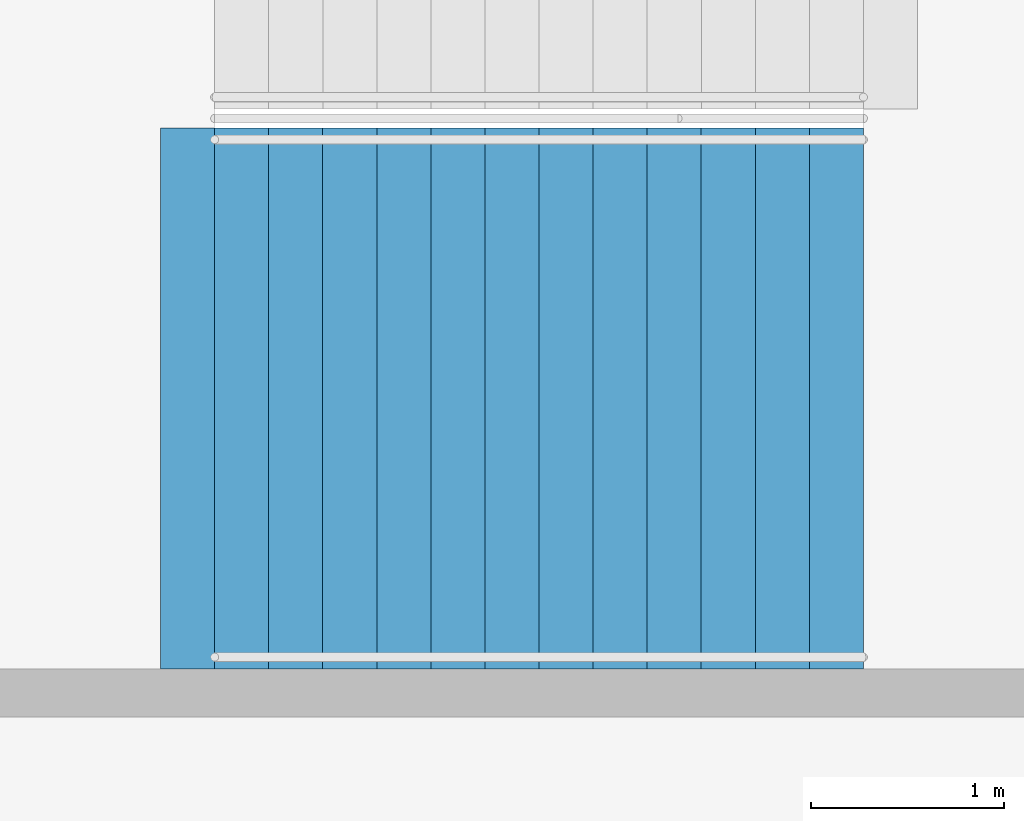
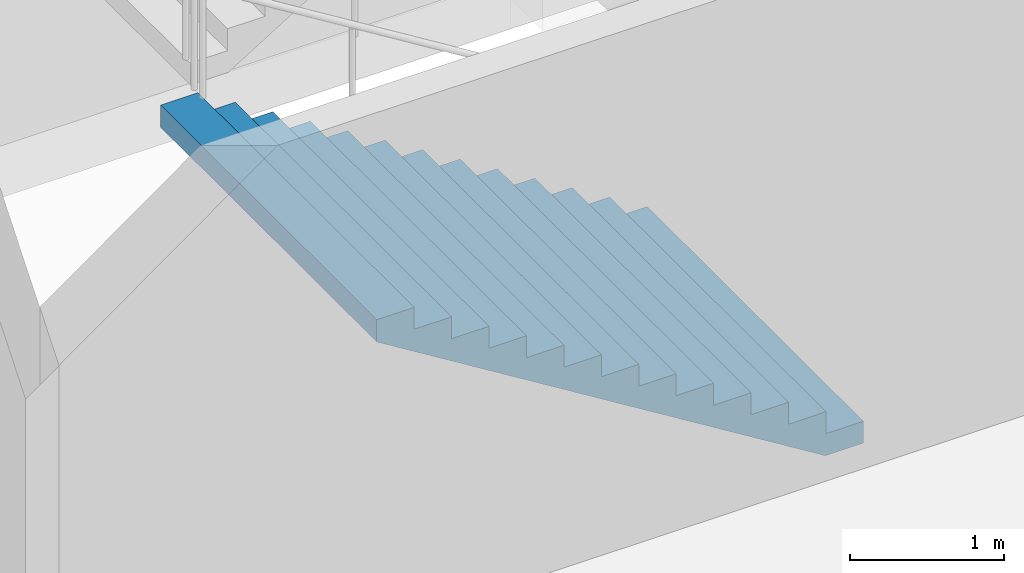
# One storey, part 132 of 177: 1 stair flight, 1 element without a shape of its own.
"""IFC4 building model written with IfcOpenShell, lengths in metres."""

from ifc_helpers import new_model, si_unit, direction, frame, origin, place, context, subcontext, project, spatial, faceted_brep, material, type_object, element, aggregate, save


model = new_model("IFC4")

# Units and contexts
model_context = context("Model", 3, precision=1e-05, world=origin(), true_north=direction((0.0, 1.0)))
body_context = subcontext(model_context, "Body", "Model", "MODEL_VIEW")
ifc_project = project(units=[si_unit("LENGTHUNIT", "METRE"), si_unit("AREAUNIT", "SQUARE_METRE"), si_unit("VOLUMEUNIT", "CUBIC_METRE"), si_unit("PLANEANGLEUNIT", "RADIAN"), si_unit("MASSUNIT", "GRAM", prefix="KILO")], contexts=[model_context])

# Site, building, storey
site_placement = place(None, origin())
site = spatial("IfcSite", under=ifc_project, at=site_placement, CompositionType="ELEMENT")
building_placement = place(site_placement, origin())
building = spatial("IfcBuilding", under=site, at=building_placement, Name="Ogive Plaza Stadium", CompositionType="ELEMENT")
storey_placement = place(building_placement, frame((0.0, 0.0, 18.0)))
storey = spatial("IfcBuildingStorey", under=building, at=storey_placement, Name="L04", CompositionType="ELEMENT", Elevation=18.0)

# Stair, stair flight
ifc_material_1 = material(Name="Concrete C40/50", Category="concrete")
stair_type = type_object("IfcStairType", Name="Exit stair", PredefinedType="STRAIGHT_RUN_STAIR", material=ifc_material_1)
stair_placement = place(storey_placement, origin())
stair = element("IfcStair", 1, at=stair_placement, inside=storey, type_object=stair_type, Name="Exit stair ST28B L04 to L05", PredefinedType="STRAIGHT_RUN_STAIR")
ifc_material_2 = material(Name="Concrete C40/50", Category="concrete")
stair_flight_type = type_object("IfcStairFlightType", Name="Exit stair flight", PredefinedType="STRAIGHT", material=ifc_material_2)
stair_flight_placement = place(storey_placement, frame((-76.35009765625, 48.074951171875, 0.0), z_axis=(0.0, 0.0, 1.0), x_axis=(-1.0, 0.0, 0.0)))
stair_flight = element("IfcStairFlight", 2, at=stair_flight_placement, type_object=stair_flight_type, Name="ST28B flight 1", NumberOfRisers=13, NumberOfTreads=12, PredefinedType="STRAIGHT", RiserHeight=0.173076923, TreadLength=0.28, context=body_context, shape_type="Brep", body=[
    faceted_brep([(0.28515625, -1.39990234375, 0.0), (3.639892578125, -1.39990234375, 2.07373046875), (3.639892578125, -1.39990234375, 2.25), (3.360107421875, -1.39990234375, 2.25), (3.360107421875, -1.39990234375, 2.076904296875), (3.080078125, -1.39990234375, 2.076904296875), (3.080078125, -1.39990234375, 1.90380859375), (2.800048828125, -1.39990234375, 1.90380859375), (2.800048828125, -1.39990234375, 1.730712890625), (2.52001953125, -1.39990234375, 1.730712890625), (2.52001953125, -1.39990234375, 1.5576171875), (2.239990234375, -1.39990234375, 1.5576171875), (2.239990234375, -1.39990234375, 1.384521484375), (1.9599609375, -1.39990234375, 1.384521484375), (1.9599609375, -1.39990234375, 1.21142578125), (1.679931640625, -1.39990234375, 1.21142578125), (1.679931640625, -1.39990234375, 1.03857421875), (1.39990234375, -1.39990234375, 1.03857421875), (1.39990234375, -1.39990234375, 0.865478515625), (1.1201171875, -1.39990234375, 0.865478515625), (1.1201171875, -1.39990234375, 0.6923828125), (0.840087890625, -1.39990234375, 0.6923828125), (0.840087890625, -1.39990234375, 0.519287109375), (0.56005859375, -1.39990234375, 0.519287109375), (0.56005859375, -1.39990234375, 0.34619140625), (0.280029296875, -1.39990234375, 0.34619140625), (0.280029296875, -1.39990234375, 0.173095703125), (0.0, -1.39990234375, 0.173095703125), (0.0, -1.39990234375, 0.0), (0.0, 1.39990234375, 0.0), (0.0, 1.39990234375, 0.173095703125), (0.280029296875, 1.39990234375, 0.173095703125), (0.280029296875, 1.39990234375, 0.34619140625), (0.56005859375, 1.39990234375, 0.34619140625), (0.56005859375, 1.39990234375, 0.519287109375), (0.840087890625, 1.39990234375, 0.519287109375), (0.840087890625, 1.39990234375, 0.6923828125), (1.1201171875, 1.39990234375, 0.6923828125), (1.1201171875, 1.39990234375, 0.865478515625), (1.39990234375, 1.39990234375, 0.865478515625), (1.39990234375, 1.39990234375, 1.03857421875), (1.679931640625, 1.39990234375, 1.03857421875), (1.679931640625, 1.39990234375, 1.21142578125), (1.9599609375, 1.39990234375, 1.21142578125), (1.9599609375, 1.39990234375, 1.384521484375), (2.239990234375, 1.39990234375, 1.384521484375), (2.239990234375, 1.39990234375, 1.5576171875), (2.52001953125, 1.39990234375, 1.5576171875), (2.52001953125, 1.39990234375, 1.730712890625), (2.800048828125, 1.39990234375, 1.730712890625), (2.800048828125, 1.39990234375, 1.90380859375), (3.080078125, 1.39990234375, 1.90380859375), (3.080078125, 1.39990234375, 2.076904296875), (3.360107421875, 1.39990234375, 2.076904296875), (3.360107421875, 1.39990234375, 2.25), (3.639892578125, 1.39990234375, 2.25), (3.639892578125, 1.39990234375, 2.07373046875), (0.28515625, 1.39990234375, 0.0), (0.28515625, -1.0888671875, 0.0), (3.639892578125, -1.0888671875, 2.07373046875), (0.28515625, -0.77783203125, 0.0), (3.639892578125, -0.77783203125, 2.07373046875), (0.28515625, -0.466796875, 0.0), (3.639892578125, -0.466796875, 2.07373046875), (0.28515625, -0.155517578125, 0.0), (3.639892578125, -0.155517578125, 2.07373046875), (0.28515625, 0.155517578125, 0.0), (3.639892578125, 0.155517578125, 2.07373046875), (0.28515625, 0.466796875, 0.0), (3.639892578125, 0.466796875, 2.07373046875), (0.28515625, 0.77783203125, 0.0), (3.639892578125, 0.77783203125, 2.07373046875), (0.28515625, 1.0888671875, 0.0), (3.639892578125, 1.0888671875, 2.07373046875), (3.639892578125, -1.0888671875, 2.25), (3.639892578125, -0.77783203125, 2.25), (3.639892578125, -0.466796875, 2.25), (3.639892578125, -0.155517578125, 2.25), (3.639892578125, 0.155517578125, 2.25), (3.639892578125, 0.466796875, 2.25), (3.639892578125, 0.77783203125, 2.25), (3.639892578125, 1.0888671875, 2.25), (3.360107421875, -1.0888671875, 2.25), (3.360107421875, -0.77783203125, 2.25), (3.360107421875, -0.466796875, 2.25), (3.360107421875, -0.155517578125, 2.25), (3.360107421875, 0.155517578125, 2.25), (3.360107421875, 0.466796875, 2.25), (3.360107421875, 0.77783203125, 2.25), (3.360107421875, 1.0888671875, 2.25), (3.360107421875, -1.0888671875, 2.076904296875), (3.360107421875, -0.77783203125, 2.076904296875), (3.360107421875, -0.466796875, 2.076904296875), (3.360107421875, -0.155517578125, 2.076904296875), (3.360107421875, 0.155517578125, 2.076904296875), (3.360107421875, 0.466796875, 2.076904296875), (3.360107421875, 0.77783203125, 2.076904296875), (3.360107421875, 1.0888671875, 2.076904296875), (3.080078125, -1.0888671875, 2.076904296875), (3.080078125, -0.77783203125, 2.076904296875), (3.080078125, -0.466796875, 2.076904296875), (3.080078125, -0.155517578125, 2.076904296875), (3.080078125, 0.155517578125, 2.076904296875), (3.080078125, 0.466796875, 2.076904296875), (3.080078125, 0.77783203125, 2.076904296875), (3.080078125, 1.0888671875, 2.076904296875), (3.080078125, -1.0888671875, 1.90380859375), (3.080078125, -0.77783203125, 1.90380859375), (3.080078125, -0.466796875, 1.90380859375), (3.080078125, -0.155517578125, 1.90380859375), (3.080078125, 0.155517578125, 1.90380859375), (3.080078125, 0.466796875, 1.90380859375), (3.080078125, 0.77783203125, 1.90380859375), (3.080078125, 1.0888671875, 1.90380859375), (2.800048828125, -1.0888671875, 1.90380859375), (2.800048828125, -0.77783203125, 1.90380859375), (2.800048828125, -0.466796875, 1.90380859375), (2.800048828125, -0.155517578125, 1.90380859375), (2.800048828125, 0.155517578125, 1.90380859375), (2.800048828125, 0.466796875, 1.90380859375), (2.800048828125, 0.77783203125, 1.90380859375), (2.800048828125, 1.0888671875, 1.90380859375), (2.800048828125, -1.0888671875, 1.730712890625), (2.800048828125, -0.77783203125, 1.730712890625), (2.800048828125, -0.466796875, 1.730712890625), (2.800048828125, -0.155517578125, 1.730712890625), (2.800048828125, 0.155517578125, 1.730712890625), (2.800048828125, 0.466796875, 1.730712890625), (2.800048828125, 0.77783203125, 1.730712890625), (2.800048828125, 1.0888671875, 1.730712890625), (2.52001953125, -1.0888671875, 1.730712890625), (2.52001953125, -0.77783203125, 1.730712890625), (2.52001953125, -0.466796875, 1.730712890625), (2.52001953125, -0.155517578125, 1.730712890625), (2.52001953125, 0.155517578125, 1.730712890625), (2.52001953125, 0.466796875, 1.730712890625), (2.52001953125, 0.77783203125, 1.730712890625), (2.52001953125, 1.0888671875, 1.730712890625), (2.52001953125, -1.0888671875, 1.5576171875), (2.52001953125, -0.77783203125, 1.5576171875), (2.52001953125, -0.466796875, 1.5576171875), (2.52001953125, -0.155517578125, 1.5576171875), (2.52001953125, 0.155517578125, 1.5576171875), (2.52001953125, 0.466796875, 1.5576171875), (2.52001953125, 0.77783203125, 1.5576171875), (2.52001953125, 1.0888671875, 1.5576171875), (2.239990234375, -1.0888671875, 1.5576171875), (2.239990234375, -0.77783203125, 1.5576171875), (2.239990234375, -0.466796875, 1.5576171875), (2.239990234375, -0.155517578125, 1.5576171875), (2.239990234375, 0.155517578125, 1.5576171875), (2.239990234375, 0.466796875, 1.5576171875), (2.239990234375, 0.77783203125, 1.5576171875), (2.239990234375, 1.0888671875, 1.5576171875), (2.239990234375, -1.0888671875, 1.384521484375), (2.239990234375, -0.77783203125, 1.384521484375), (2.239990234375, -0.466796875, 1.384521484375), (2.239990234375, -0.155517578125, 1.384521484375), (2.239990234375, 0.155517578125, 1.384521484375), (2.239990234375, 0.466796875, 1.384521484375), (2.239990234375, 0.77783203125, 1.384521484375), (2.239990234375, 1.0888671875, 1.384521484375), (1.9599609375, -1.0888671875, 1.384521484375), (1.9599609375, -0.77783203125, 1.384521484375), (1.9599609375, -0.466796875, 1.384521484375), (1.9599609375, -0.155517578125, 1.384521484375), (1.9599609375, 0.155517578125, 1.384521484375), (1.9599609375, 0.466796875, 1.384521484375), (1.9599609375, 0.77783203125, 1.384521484375), (1.9599609375, 1.0888671875, 1.384521484375), (1.9599609375, -1.0888671875, 1.21142578125), (1.9599609375, -0.77783203125, 1.21142578125), (1.9599609375, -0.466796875, 1.21142578125), (1.9599609375, -0.155517578125, 1.21142578125), (1.9599609375, 0.155517578125, 1.21142578125), (1.9599609375, 0.466796875, 1.21142578125), (1.9599609375, 0.77783203125, 1.21142578125), (1.9599609375, 1.0888671875, 1.21142578125), (1.679931640625, -1.0888671875, 1.21142578125), (1.679931640625, -0.77783203125, 1.21142578125), (1.679931640625, -0.466796875, 1.21142578125), (1.679931640625, -0.155517578125, 1.21142578125), (1.679931640625, 0.155517578125, 1.21142578125), (1.679931640625, 0.466796875, 1.21142578125), (1.679931640625, 0.77783203125, 1.21142578125), (1.679931640625, 1.0888671875, 1.21142578125), (1.679931640625, -1.0888671875, 1.03857421875), (1.679931640625, -0.77783203125, 1.03857421875), (1.679931640625, -0.466796875, 1.03857421875), (1.679931640625, -0.155517578125, 1.03857421875), (1.679931640625, 0.155517578125, 1.03857421875), (1.679931640625, 0.466796875, 1.03857421875), (1.679931640625, 0.77783203125, 1.03857421875), (1.679931640625, 1.0888671875, 1.03857421875), (1.39990234375, -1.0888671875, 1.03857421875), (1.39990234375, -0.77783203125, 1.03857421875), (1.39990234375, -0.466796875, 1.03857421875), (1.39990234375, -0.155517578125, 1.03857421875), (1.39990234375, 0.155517578125, 1.03857421875), (1.39990234375, 0.466796875, 1.03857421875), (1.39990234375, 0.77783203125, 1.03857421875), (1.39990234375, 1.0888671875, 1.03857421875), (1.39990234375, -1.0888671875, 0.865478515625), (1.39990234375, -0.77783203125, 0.865478515625), (1.39990234375, -0.466796875, 0.865478515625), (1.39990234375, -0.155517578125, 0.865478515625), (1.39990234375, 0.155517578125, 0.865478515625), (1.39990234375, 0.466796875, 0.865478515625), (1.39990234375, 0.77783203125, 0.865478515625), (1.39990234375, 1.0888671875, 0.865478515625), (1.1201171875, -1.0888671875, 0.865478515625), (1.1201171875, -0.77783203125, 0.865478515625), (1.1201171875, -0.466796875, 0.865478515625), (1.1201171875, -0.155517578125, 0.865478515625), (1.1201171875, 0.155517578125, 0.865478515625), (1.1201171875, 0.466796875, 0.865478515625), (1.1201171875, 0.77783203125, 0.865478515625), (1.1201171875, 1.0888671875, 0.865478515625), (1.1201171875, -1.0888671875, 0.6923828125), (1.1201171875, -0.77783203125, 0.6923828125), (1.1201171875, -0.466796875, 0.6923828125), (1.1201171875, -0.155517578125, 0.6923828125), (1.1201171875, 0.155517578125, 0.6923828125), (1.1201171875, 0.466796875, 0.6923828125), (1.1201171875, 0.77783203125, 0.6923828125), (1.1201171875, 1.0888671875, 0.6923828125), (0.840087890625, -1.0888671875, 0.6923828125), (0.840087890625, -0.77783203125, 0.6923828125), (0.840087890625, -0.466796875, 0.6923828125), (0.840087890625, -0.155517578125, 0.6923828125), (0.840087890625, 0.155517578125, 0.6923828125), (0.840087890625, 0.466796875, 0.6923828125), (0.840087890625, 0.77783203125, 0.6923828125), (0.840087890625, 1.0888671875, 0.6923828125), (0.840087890625, -1.0888671875, 0.519287109375), (0.840087890625, -0.77783203125, 0.519287109375), (0.840087890625, -0.466796875, 0.519287109375), (0.840087890625, -0.155517578125, 0.519287109375), (0.840087890625, 0.155517578125, 0.519287109375), (0.840087890625, 0.466796875, 0.519287109375), (0.840087890625, 0.77783203125, 0.519287109375), (0.840087890625, 1.0888671875, 0.519287109375), (0.56005859375, -1.0888671875, 0.519287109375), (0.56005859375, -0.77783203125, 0.519287109375), (0.56005859375, -0.466796875, 0.519287109375), (0.56005859375, -0.155517578125, 0.519287109375), (0.56005859375, 0.155517578125, 0.519287109375), (0.56005859375, 0.466796875, 0.519287109375), (0.56005859375, 0.77783203125, 0.519287109375), (0.56005859375, 1.0888671875, 0.519287109375), (0.56005859375, -1.0888671875, 0.34619140625), (0.56005859375, -0.77783203125, 0.34619140625), (0.56005859375, -0.466796875, 0.34619140625), (0.56005859375, -0.155517578125, 0.34619140625), (0.56005859375, 0.155517578125, 0.34619140625), (0.56005859375, 0.466796875, 0.34619140625), (0.56005859375, 0.77783203125, 0.34619140625), (0.56005859375, 1.0888671875, 0.34619140625), (0.280029296875, -1.0888671875, 0.34619140625), (0.280029296875, -0.77783203125, 0.34619140625), (0.280029296875, -0.466796875, 0.34619140625), (0.280029296875, -0.155517578125, 0.34619140625), (0.280029296875, 0.155517578125, 0.34619140625), (0.280029296875, 0.466796875, 0.34619140625), (0.280029296875, 0.77783203125, 0.34619140625), (0.280029296875, 1.0888671875, 0.34619140625), (0.280029296875, -1.0888671875, 0.173095703125), (0.280029296875, -0.77783203125, 0.173095703125), (0.280029296875, -0.466796875, 0.173095703125), (0.280029296875, -0.155517578125, 0.173095703125), (0.280029296875, 0.155517578125, 0.173095703125), (0.280029296875, 0.466796875, 0.173095703125), (0.280029296875, 0.77783203125, 0.173095703125), (0.280029296875, 1.0888671875, 0.173095703125), (0.0, -1.0888671875, 0.173095703125), (0.0, -0.77783203125, 0.173095703125), (0.0, -0.466796875, 0.173095703125), (0.0, -0.155517578125, 0.173095703125), (0.0, 0.155517578125, 0.173095703125), (0.0, 0.466796875, 0.173095703125), (0.0, 0.77783203125, 0.173095703125), (0.0, 1.0888671875, 0.173095703125), (0.0, -1.0888671875, 0.0), (0.0, -0.77783203125, 0.0), (0.0, -0.466796875, 0.0), (0.0, -0.155517578125, 0.0), (0.0, 0.155517578125, 0.0), (0.0, 0.466796875, 0.0), (0.0, 0.77783203125, 0.0), (0.0, 1.0888671875, 0.0)], [[[0, 1, 2, 3, 4, 5, 6, 7, 8, 9, 10, 11, 12, 13, 14, 15, 16, 17, 18, 19, 20, 21, 22, 23, 24, 25, 26, 27, 28]], [[29, 30, 31, 32, 33, 34, 35, 36, 37, 38, 39, 40, 41, 42, 43, 44, 45, 46, 47, 48, 49, 50, 51, 52, 53, 54, 55, 56, 57]], [[0, 58, 59, 1]], [[58, 60, 61, 59]], [[60, 62, 63, 61]], [[62, 64, 65, 63]], [[64, 66, 67, 65]], [[66, 68, 69, 67]], [[68, 70, 71, 69]], [[70, 72, 73, 71]], [[72, 57, 56, 73]], [[1, 59, 74, 2]], [[59, 61, 75, 74]], [[61, 63, 76, 75]], [[63, 65, 77, 76]], [[65, 67, 78, 77]], [[67, 69, 79, 78]], [[69, 71, 80, 79]], [[71, 73, 81, 80]], [[73, 56, 55, 81]], [[2, 74, 82, 3]], [[74, 75, 83, 82]], [[75, 76, 84, 83]], [[76, 77, 85, 84]], [[77, 78, 86, 85]], [[78, 79, 87, 86]], [[79, 80, 88, 87]], [[80, 81, 89, 88]], [[81, 55, 54, 89]], [[3, 82, 90, 4]], [[82, 83, 91, 90]], [[83, 84, 92, 91]], [[84, 85, 93, 92]], [[85, 86, 94, 93]], [[86, 87, 95, 94]], [[87, 88, 96, 95]], [[88, 89, 97, 96]], [[89, 54, 53, 97]], [[4, 90, 98, 5]], [[90, 91, 99, 98]], [[91, 92, 100, 99]], [[92, 93, 101, 100]], [[93, 94, 102, 101]], [[94, 95, 103, 102]], [[95, 96, 104, 103]], [[96, 97, 105, 104]], [[97, 53, 52, 105]], [[5, 98, 106, 6]], [[98, 99, 107, 106]], [[99, 100, 108, 107]], [[100, 101, 109, 108]], [[101, 102, 110, 109]], [[102, 103, 111, 110]], [[103, 104, 112, 111]], [[104, 105, 113, 112]], [[105, 52, 51, 113]], [[6, 106, 114, 7]], [[106, 107, 115, 114]], [[107, 108, 116, 115]], [[108, 109, 117, 116]], [[109, 110, 118, 117]], [[110, 111, 119, 118]], [[111, 112, 120, 119]], [[112, 113, 121, 120]], [[113, 51, 50, 121]], [[7, 114, 122, 8]], [[114, 115, 123, 122]], [[115, 116, 124, 123]], [[116, 117, 125, 124]], [[117, 118, 126, 125]], [[118, 119, 127, 126]], [[119, 120, 128, 127]], [[120, 121, 129, 128]], [[121, 50, 49, 129]], [[8, 122, 130, 9]], [[122, 123, 131, 130]], [[123, 124, 132, 131]], [[124, 125, 133, 132]], [[125, 126, 134, 133]], [[126, 127, 135, 134]], [[127, 128, 136, 135]], [[128, 129, 137, 136]], [[129, 49, 48, 137]], [[9, 130, 138, 10]], [[130, 131, 139, 138]], [[131, 132, 140, 139]], [[132, 133, 141, 140]], [[133, 134, 142, 141]], [[134, 135, 143, 142]], [[135, 136, 144, 143]], [[136, 137, 145, 144]], [[137, 48, 47, 145]], [[10, 138, 146, 11]], [[138, 139, 147, 146]], [[139, 140, 148, 147]], [[140, 141, 149, 148]], [[141, 142, 150, 149]], [[142, 143, 151, 150]], [[143, 144, 152, 151]], [[144, 145, 153, 152]], [[145, 47, 46, 153]], [[11, 146, 154, 12]], [[146, 147, 155, 154]], [[147, 148, 156, 155]], [[148, 149, 157, 156]], [[149, 150, 158, 157]], [[150, 151, 159, 158]], [[151, 152, 160, 159]], [[152, 153, 161, 160]], [[153, 46, 45, 161]], [[12, 154, 162, 13]], [[154, 155, 163, 162]], [[155, 156, 164, 163]], [[156, 157, 165, 164]], [[157, 158, 166, 165]], [[158, 159, 167, 166]], [[159, 160, 168, 167]], [[160, 161, 169, 168]], [[161, 45, 44, 169]], [[13, 162, 170, 14]], [[162, 163, 171, 170]], [[163, 164, 172, 171]], [[164, 165, 173, 172]], [[165, 166, 174, 173]], [[166, 167, 175, 174]], [[167, 168, 176, 175]], [[168, 169, 177, 176]], [[169, 44, 43, 177]], [[14, 170, 178, 15]], [[170, 171, 179, 178]], [[171, 172, 180, 179]], [[172, 173, 181, 180]], [[173, 174, 182, 181]], [[174, 175, 183, 182]], [[175, 176, 184, 183]], [[176, 177, 185, 184]], [[177, 43, 42, 185]], [[15, 178, 186, 16]], [[178, 179, 187, 186]], [[179, 180, 188, 187]], [[180, 181, 189, 188]], [[181, 182, 190, 189]], [[182, 183, 191, 190]], [[183, 184, 192, 191]], [[184, 185, 193, 192]], [[185, 42, 41, 193]], [[16, 186, 194, 17]], [[186, 187, 195, 194]], [[187, 188, 196, 195]], [[188, 189, 197, 196]], [[189, 190, 198, 197]], [[190, 191, 199, 198]], [[191, 192, 200, 199]], [[192, 193, 201, 200]], [[193, 41, 40, 201]], [[17, 194, 202, 18]], [[194, 195, 203, 202]], [[195, 196, 204, 203]], [[196, 197, 205, 204]], [[197, 198, 206, 205]], [[198, 199, 207, 206]], [[199, 200, 208, 207]], [[200, 201, 209, 208]], [[201, 40, 39, 209]], [[18, 202, 210, 19]], [[202, 203, 211, 210]], [[203, 204, 212, 211]], [[204, 205, 213, 212]], [[205, 206, 214, 213]], [[206, 207, 215, 214]], [[207, 208, 216, 215]], [[208, 209, 217, 216]], [[209, 39, 38, 217]], [[19, 210, 218, 20]], [[210, 211, 219, 218]], [[211, 212, 220, 219]], [[212, 213, 221, 220]], [[213, 214, 222, 221]], [[214, 215, 223, 222]], [[215, 216, 224, 223]], [[216, 217, 225, 224]], [[217, 38, 37, 225]], [[20, 218, 226, 21]], [[218, 219, 227, 226]], [[219, 220, 228, 227]], [[220, 221, 229, 228]], [[221, 222, 230, 229]], [[222, 223, 231, 230]], [[223, 224, 232, 231]], [[224, 225, 233, 232]], [[225, 37, 36, 233]], [[21, 226, 234, 22]], [[226, 227, 235, 234]], [[227, 228, 236, 235]], [[228, 229, 237, 236]], [[229, 230, 238, 237]], [[230, 231, 239, 238]], [[231, 232, 240, 239]], [[232, 233, 241, 240]], [[233, 36, 35, 241]], [[22, 234, 242, 23]], [[234, 235, 243, 242]], [[235, 236, 244, 243]], [[236, 237, 245, 244]], [[237, 238, 246, 245]], [[238, 239, 247, 246]], [[239, 240, 248, 247]], [[240, 241, 249, 248]], [[241, 35, 34, 249]], [[23, 242, 250, 24]], [[242, 243, 251, 250]], [[243, 244, 252, 251]], [[244, 245, 253, 252]], [[245, 246, 254, 253]], [[246, 247, 255, 254]], [[247, 248, 256, 255]], [[248, 249, 257, 256]], [[249, 34, 33, 257]], [[24, 250, 258, 25]], [[250, 251, 259, 258]], [[251, 252, 260, 259]], [[252, 253, 261, 260]], [[253, 254, 262, 261]], [[254, 255, 263, 262]], [[255, 256, 264, 263]], [[256, 257, 265, 264]], [[257, 33, 32, 265]], [[25, 258, 266, 26]], [[258, 259, 267, 266]], [[259, 260, 268, 267]], [[260, 261, 269, 268]], [[261, 262, 270, 269]], [[262, 263, 271, 270]], [[263, 264, 272, 271]], [[264, 265, 273, 272]], [[265, 32, 31, 273]], [[26, 266, 274, 27]], [[266, 267, 275, 274]], [[267, 268, 276, 275]], [[268, 269, 277, 276]], [[269, 270, 278, 277]], [[270, 271, 279, 278]], [[271, 272, 280, 279]], [[272, 273, 281, 280]], [[273, 31, 30, 281]], [[27, 274, 282, 28]], [[274, 275, 283, 282]], [[275, 276, 284, 283]], [[276, 277, 285, 284]], [[277, 278, 286, 285]], [[278, 279, 287, 286]], [[279, 280, 288, 287]], [[280, 281, 289, 288]], [[281, 30, 29, 289]], [[28, 282, 58, 0]], [[282, 283, 60, 58]], [[283, 284, 62, 60]], [[284, 285, 64, 62]], [[285, 286, 66, 64]], [[286, 287, 68, 66]], [[287, 288, 70, 68]], [[288, 289, 72, 70]], [[289, 29, 57, 72]]]),
])
aggregate(stair, [stair_flight])

save(model, "model.ifc")
